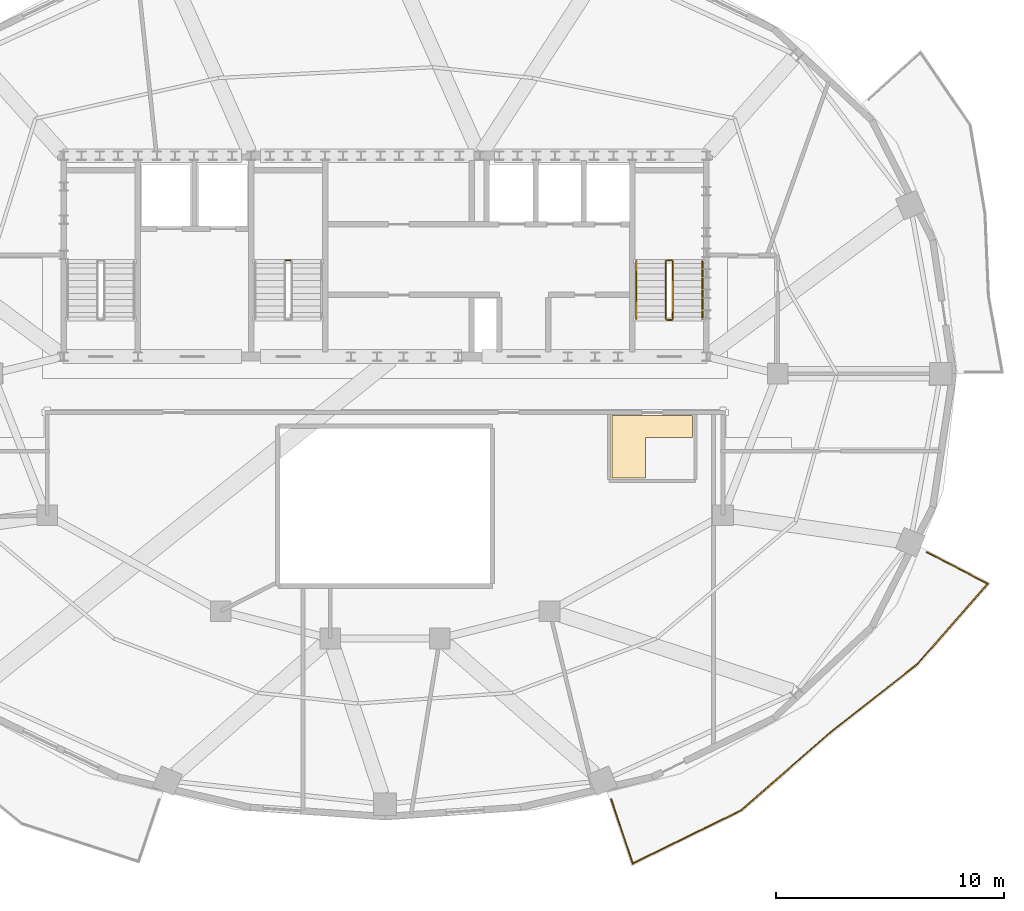
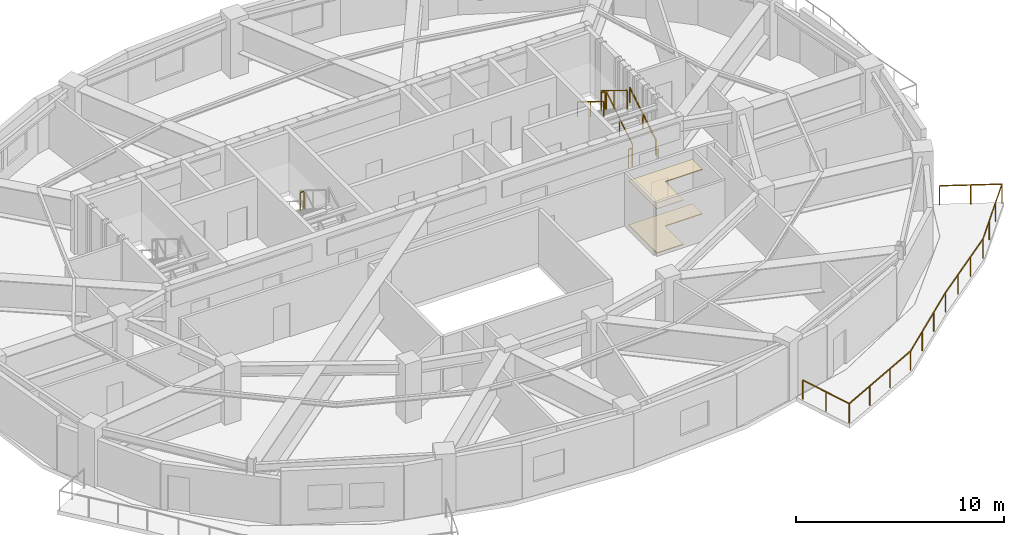
# One storey, part 9 of 10: 8 railings, 2 coverings.
"""IFC4 building model written with IfcOpenShell, lengths in metres."""

import ifcopenshell
import ifcopenshell.guid

model = None  # the IFC model being written
_history = None  # IfcOwnerHistory: only IFC2X3 demands one
_inside = {}  # id of a spatial element -> (the spatial element, [elements in it])
_under = {}  # id of a project, library or spatial element -> (it, [spatial elements below it])
_declared = {}  # id of a project -> (the project, [libraries it declares])
_typed = {}  # id of a type object -> (the type object, [elements of that type])
_made_of = {}  # id of a material, layer set ... -> (it, [elements and type objects made of it])


def new_model(schema):
    """Start an empty IFC model of exactly this schema.

    Asked for "IFC4X3", IfcOpenShell would pick the latest addendum, in which some entities
    have other attributes; the version numbers below select the first issue.
    IFC2X3 requires an IfcOwnerHistory on every rooted entity: one is made here for all.
    """
    global model, _history
    if schema == "IFC4X3":
        model = ifcopenshell.file(schema_version=(4, 3, 0, 0))
    else:
        model = ifcopenshell.file(schema=schema)
    _inside.clear()
    _under.clear()
    _declared.clear()
    _typed.clear()
    _made_of.clear()
    _history = None
    if model.schema == "IFC2X3":
        org = make("IfcOrganization", Name="unknown")
        user = make(
            "IfcPersonAndOrganization",
            ThePerson=make("IfcPerson", FamilyName="unknown"),
            TheOrganization=org,
        )
        app = make(
            "IfcApplication",
            ApplicationDeveloper=org,
            Version="unknown",
            ApplicationFullName="unknown",
            ApplicationIdentifier="unknown",
        )
        _history = make(
            "IfcOwnerHistory",
            OwningUser=user,
            OwningApplication=app,
            ChangeAction="ADDED",
            CreationDate=0,
        )
    return model


def make(cls, **values):
    """One entity of the class cls with the attributes given. An attribute that is None is left unset."""
    return model.create_entity(
        cls, **{name: value for name, value in values.items() if value is not None}
    )


def rooted(cls, **values):
    """An entity with a GlobalId (a new one), such as an element, a storey or a relation."""
    return make(cls, GlobalId=ifcopenshell.guid.new(), OwnerHistory=_history, **values)


def si_unit(unit_type, name, prefix=None):
    """IfcSIUnit, for example si_unit("LENGTHUNIT", "METRE", prefix="MILLI")."""
    return make("IfcSIUnit", UnitType=unit_type, Prefix=prefix, Name=name)


def assignment(units):
    """IfcUnitAssignment: the units of a project."""
    return None if units is None else make("IfcUnitAssignment", Units=units)


def point(xyz):
    """IfcCartesianPoint."""
    return None if xyz is None else make("IfcCartesianPoint", Coordinates=xyz)


def direction(xyz):
    """IfcDirection."""
    return None if xyz is None else make("IfcDirection", DirectionRatios=xyz)


def frame(location, z_axis=None, x_axis=None):
    """IfcAxis2Placement3D, a coordinate frame: its origin and axes. An axis left out is left unset."""
    return make(
        "IfcAxis2Placement3D",
        Location=point(location),
        Axis=direction(z_axis),
        RefDirection=direction(x_axis),
    )


def frame_2d(location, x_axis=None):
    """IfcAxis2Placement2D, a coordinate frame in the plane: its origin and x axis."""
    return make(
        "IfcAxis2Placement2D", Location=point(location), RefDirection=direction(x_axis)
    )


def origin():
    """The frame at (0, 0, 0) with its axes left unset."""
    return frame((0.0, 0.0, 0.0))


def origin_2d():
    """The frame at (0, 0) in the plane with its x axis left unset."""
    return frame_2d((0.0, 0.0))


def place(relative_to, where):
    """IfcLocalPlacement: puts the frame where relative to a parent placement (None: the world)."""
    return make(
        "IfcLocalPlacement", PlacementRelTo=relative_to, RelativePlacement=where
    )


def context(
    kind, dimensions, precision=None, world=None, true_north=None, identifier=None
):
    """IfcGeometricRepresentationContext, for example the 3D "Model" context."""
    return make(
        "IfcGeometricRepresentationContext",
        ContextIdentifier=identifier,
        ContextType=kind,
        CoordinateSpaceDimension=dimensions,
        Precision=precision,
        WorldCoordinateSystem=world,
        TrueNorth=true_north,
    )


def subcontext(parent, identifier, kind, view, scale=None):
    """IfcGeometricRepresentationSubContext, for example "Body" below "Model"."""
    return make(
        "IfcGeometricRepresentationSubContext",
        ContextIdentifier=identifier,
        ContextType=kind,
        ParentContext=parent,
        TargetScale=scale,
        TargetView=view,
    )


def project(units=None, contexts=None):
    """IfcProject with its units and contexts."""
    return rooted(
        "IfcProject",
        Name="project",
        RepresentationContexts=contexts,
        UnitsInContext=assignment(units),
    )


def spatial(cls, under=None, at=None, **own):
    """A site, building, storey or space (cls), placed at a placement, below another one or the project."""
    s = rooted(cls, ObjectPlacement=at, **own)
    if under is not None:
        _under.setdefault(under.id(), (under, []))[1].append(s)
    return s


def polyline(points):
    """IfcPolyline through the points."""
    return make("IfcPolyline", Points=[point(p) for p in points])


def profile(cls, at=None, kind="AREA", **sizes):
    """A parametric profile (cls). Its sizes go by their IFC names, for example OverallWidth=200.0."""
    return make(cls, ProfileType=kind, Position=at, **sizes)


def rectangle(**sizes):
    """IfcRectangleProfileDef."""
    return profile("IfcRectangleProfileDef", **sizes)


def outline(outer, holes=None, kind="AREA"):
    """IfcArbitraryClosedProfileDef: a profile drawn as a closed curve; with holes, ...WithVoids."""
    if holes is None:
        return make("IfcArbitraryClosedProfileDef", ProfileType=kind, OuterCurve=outer)
    return make(
        "IfcArbitraryProfileDefWithVoids",
        ProfileType=kind,
        OuterCurve=outer,
        InnerCurves=holes,
    )


def extrude(swept, where, along, depth):
    """IfcExtrudedAreaSolid: the profile swept, set in the frame where, extruded along a direction by depth."""
    return make(
        "IfcExtrudedAreaSolid",
        SweptArea=swept,
        Position=where,
        ExtrudedDirection=direction(along),
        Depth=depth,
    )


def shape(context_of_items, identifier, shape_type, items):
    """IfcShapeRepresentation: the items that make up one representation, for example the "Body"."""
    return make(
        "IfcShapeRepresentation",
        ContextOfItems=context_of_items,
        RepresentationIdentifier=identifier,
        RepresentationType=shape_type,
        Items=items,
    )


def material(Name=None, Category=None):
    """IfcMaterial."""
    return make("IfcMaterial", Name=Name, Category=Category)


def layer(
    of_material, thickness, ventilated=None, Name=None, Category=None, Priority=None
):
    """IfcMaterialLayer: one layer of a wall or slab, of a material (None: an air gap)."""
    return make(
        "IfcMaterialLayer",
        Material=of_material,
        LayerThickness=thickness,
        IsVentilated=ventilated,
        Name=Name,
        Category=Category,
        Priority=Priority,
    )


def layer_set(layers, Name=None):
    """IfcMaterialLayerSet."""
    return make("IfcMaterialLayerSet", MaterialLayers=layers, LayerSetName=Name)


def made_of(thing, what):
    """Note that an element or type object is made of a material, layer set ...; save() writes the relation."""
    if what is not None:
        _made_of.setdefault(what.id(), (what, []))[1].append(thing)
    return thing


def type_object(cls, material=None, **own):
    """A type object (cls), such as IfcWallType, which elements share."""
    return made_of(rooted(cls, **own), material)


def element(
    cls,
    number,
    at=None,
    inside=None,
    cuts=None,
    type_object=None,
    material=None,
    context=None,
    identifier="Body",
    shape_type=None,
    held_by="IfcProductDefinitionShape",
    body=None,
    shapes=None,
    **own,
):
    """One element of the class cls, such as IfcWall. Its Tag is "e" and its number.

    at: its placement. inside: the storey or other place that contains it. cuts: it is an
    opening in that element (IfcRelVoidsElement). A single representation is given by context,
    identifier, shape_type and body (its items); several are given by shapes. held_by: the class
    of the entity that holds the representations. save() writes the other relations.
    """
    e = rooted(cls, Tag="e%d" % number, ObjectPlacement=at, **own)
    if body is not None:
        shapes = [shape(context, identifier, shape_type, body)]
    if shapes is not None:
        e.Representation = make(held_by, Representations=shapes)
    if inside is not None:
        _inside.setdefault(inside.id(), (inside, []))[1].append(e)
    if cuts is not None:
        rooted(
            "IfcRelVoidsElement", RelatingBuildingElement=cuts, RelatedOpeningElement=e
        )
    if type_object is not None:
        _typed.setdefault(type_object.id(), (type_object, []))[1].append(e)
    return made_of(e, material)


def aggregate(whole, parts):
    """IfcRelAggregates: a whole, such as a stair, and the parts it consists of."""
    return rooted("IfcRelAggregates", RelatingObject=whole, RelatedObjects=parts)


def save(model, path):
    """Write the relations noted so far, then the file.

    IfcRelAggregates (storeys below a building ...), IfcRelContainedInSpatialStructure (elements
    in a storey), IfcRelDefinesByType, IfcRelAssociatesMaterial and IfcRelDeclares: one each for
    every whole, place, type object, material and project.
    """
    for whole, parts in _under.values():
        aggregate(whole, parts)
    for where, things in _inside.values():
        rooted(
            "IfcRelContainedInSpatialStructure",
            RelatedElements=things,
            RelatingStructure=where,
        )
    for kind, things in _typed.values():
        rooted("IfcRelDefinesByType", RelatedObjects=things, RelatingType=kind)
    for what, things in _made_of.values():
        rooted("IfcRelAssociatesMaterial", RelatedObjects=things, RelatingMaterial=what)
    for by, libraries in _declared.values():
        rooted("IfcRelDeclares", RelatingContext=by, RelatedDefinitions=libraries)
    model.write(path)


model = new_model("IFC4")

# Units and contexts
model_context = context("Model", 3, precision=1e-05, world=origin(), true_north=direction((0.0, 1.0)))
body_context = subcontext(model_context, "Body", "Model", "MODEL_VIEW")
ifc_project = project(units=[si_unit("LENGTHUNIT", "METRE"), si_unit("AREAUNIT", "SQUARE_METRE"), si_unit("VOLUMEUNIT", "CUBIC_METRE"), si_unit("PLANEANGLEUNIT", "RADIAN"), si_unit("MASSUNIT", "GRAM", prefix="KILO")], contexts=[model_context])

# Site, building, storey
site_placement = place(None, origin())
site = spatial("IfcSite", under=ifc_project, at=site_placement, CompositionType="ELEMENT")
building_placement = place(site_placement, origin())
building = spatial("IfcBuilding", under=site, at=building_placement, Name="Haldorwick Loom Tower", CompositionType="ELEMENT")
storey_placement = place(building_placement, frame((0.0, 0.0, 269.550048828125)))
storey = spatial("IfcBuildingStorey", under=building, at=storey_placement, Name="L73", CompositionType="ELEMENT", Elevation=269.550048828125)

# Coverings
ifc_material_1 = material(Name="Mineral Fibre Acoustic Ceiling Tile")
ifc_layer_1 = layer(ifc_material_1, 0.054931640625, Name="Mineral Fibre Acoustic Ceiling Tile")
ifc_layer_set_1 = layer_set([ifc_layer_1], Name="Mineral Fibre Acoustic Ceiling Tile")
covering_type_1 = type_object("IfcCoveringType", Name="ARC-COV-CEIL2", PredefinedType="CEILING", material=ifc_layer_set_1)
covering_1_placement = place(storey_placement, frame((0.0, 0.0, 2.594970703125)))
element("IfcCovering", 1, at=covering_1_placement, inside=storey, type_object=covering_type_1, Name="L73 Acoustic Suspended Ceiling 2", PredefinedType="CEILING", context=body_context, shape_type="SweptSolid", body=[
    extrude(outline(polyline([(45.929931640625, 24.159912109375), (45.929931640625, 21.429931640625), (47.39990234375, 21.429931640625), (47.39990234375, 23.199951171875), (49.469970703125, 23.199951171875), (49.469970703125, 24.159912109375), (45.929931640625, 24.159912109375)])), origin(), (0.0, 0.0, 1.0), 0.054931640625),
])
ifc_material_2 = material(Name="Polished Aggregate Terrazzo Finish")
ifc_layer_2 = layer(ifc_material_2, 0.044921875, Name="Polished Aggregate Terrazzo Finish")
ifc_layer_set_2 = layer_set([ifc_layer_2], Name="Polished Aggregate Terrazzo Finish")
covering_type_2 = type_object("IfcCoveringType", Name="ARC-COV-FLOOR2", PredefinedType="FLOORING", material=ifc_layer_set_2)
covering_2_placement = place(storey_placement, origin())
element("IfcCovering", 2, at=covering_2_placement, inside=storey, type_object=covering_type_2, Name="L73 Floor Finish 2", PredefinedType="FLOORING", context=body_context, shape_type="SweptSolid", body=[
    extrude(outline(polyline([(45.929931640625, 24.159912109375), (45.929931640625, 21.429931640625), (47.39990234375, 21.429931640625), (47.39990234375, 23.199951171875), (49.469970703125, 23.199951171875), (49.469970703125, 24.159912109375), (45.929931640625, 24.159912109375)])), origin(), (0.0, 0.0, 1.0), 0.044921875),
])

# Railings
ifc_material_3 = material(Name="Galvanized Steel CSA G40.21 350W", Category="steel")
railing_type_1 = type_object("IfcRailingType", Name="ARC-RLG-BAL115", PredefinedType="BALUSTRADE", material=ifc_material_3)
railing_1_placement = place(storey_placement, frame((59.727783203125, 18.17724609375, 0.0)))
element("IfcRailing", 3, at=railing_1_placement, inside=storey, type_object=railing_type_1, Name="L73 Outdoor Terrace Guardrail SLB-L73-BAL_SE-1", PredefinedType="BALUSTRADE", context=body_context, shape_type="SweptSolid", body=[
    extrude(rectangle(XDim=0.048095703125, YDim=0.048095703125, at=origin_2d()), frame((0.0, 0.0, 1.1259765625), z_axis=(0.888528692081, -0.458821058093, 0.0), x_axis=(0.458821058093, 0.888528692081, 0.0)), (0.0, 0.0, 1.0), 3.002197265625),
    extrude(rectangle(XDim=0.048095703125, YDim=0.048095703125, at=origin_2d()), frame((2.66748046875, -1.37744140625, 1.1259765625), z_axis=(-0.658947524651, -0.75218891228, 0.0), x_axis=(0.75218891228, -0.658947524651, 0.0)), (0.0, 0.0, 1.0), 4.681640625),
    extrude(rectangle(XDim=0.048095703125, YDim=0.048095703125, at=origin_2d()), frame((-0.41748046875, -4.89892578125, 1.1259765625), z_axis=(-0.786142130795, -0.618045750887, 0.0), x_axis=(0.618045750887, -0.786142130795, 0.0)), (0.0, 0.0, 1.0), 4.856689453125),
    extrude(rectangle(XDim=0.048095703125, YDim=0.048095703125, at=origin_2d()), frame((-4.235595703125, -7.900634765625, 1.1259765625), z_axis=(-0.763386285369, -0.645942241466, 0.0), x_axis=(0.645942241466, -0.763386285369, 0.0)), (0.0, 0.0, 1.0), 0.004150390625),
    extrude(rectangle(XDim=0.048095703125, YDim=0.048095703125, at=origin_2d()), frame((-4.23876953125, -7.9033203125, 1.1259765625), z_axis=(-0.753589494312, -0.657345323299, 0.0), x_axis=(0.657345323299, -0.753589494312, 0.0)), (0.0, 0.0, 1.0), 5.162109375),
    extrude(rectangle(XDim=0.048095703125, YDim=0.048095703125, at=origin_2d()), frame((-8.12890625, -11.296630859375, 1.1259765625), z_axis=(-0.897365820066, -0.441287417652, 0.0), x_axis=(0.441287417652, -0.897365820066, 0.0)), (0.0, 0.0, 1.0), 5.29833984375),
    extrude(rectangle(XDim=0.048095703125, YDim=0.048095703125, at=origin_2d()), frame((-12.883544921875, -13.634765625, 1.1259765625), z_axis=(-0.316571845047, 0.948568535702, 0.0), x_axis=(-0.948568535702, -0.316571845047, 0.0)), (0.0, 0.0, 1.0), 2.97998046875),
    extrude(rectangle(XDim=0.0419921875, YDim=0.0419921875, at=origin_2d()), origin(), (0.0, 0.0, 1.0), 1.101806640625),
    extrude(rectangle(XDim=0.0419921875, YDim=0.0419921875, at=origin_2d()), frame((1.333740234375, -0.688720703125, 0.0)), (0.0, 0.0, 1.0), 1.101806640625),
    extrude(rectangle(XDim=0.0419921875, YDim=0.0419921875, at=origin_2d()), frame((2.66748046875, -1.37744140625, 0.0)), (0.0, 0.0, 1.0), 1.101806640625),
    extrude(rectangle(XDim=0.0419921875, YDim=0.0419921875, at=origin_2d()), frame((1.63916015625, -2.55126953125, 0.0)), (0.0, 0.0, 1.0), 1.101806640625),
    extrude(rectangle(XDim=0.0419921875, YDim=0.0419921875, at=origin_2d()), frame((0.61083984375, -3.72509765625, 0.0)), (0.0, 0.0, 1.0), 1.101806640625),
    extrude(rectangle(XDim=0.0419921875, YDim=0.0419921875, at=origin_2d()), frame((-0.41748046875, -4.89892578125, 0.0)), (0.0, 0.0, 1.0), 1.101806640625),
    extrude(rectangle(XDim=0.0419921875, YDim=0.0419921875, at=origin_2d()), frame((-1.690185546875, -5.8994140625, 0.0)), (0.0, 0.0, 1.0), 1.101806640625),
    extrude(rectangle(XDim=0.0419921875, YDim=0.0419921875, at=origin_2d()), frame((-2.962890625, -6.900146484375, 0.0)), (0.0, 0.0, 1.0), 1.101806640625),
    extrude(rectangle(XDim=0.0419921875, YDim=0.0419921875, at=origin_2d()), frame((-4.235595703125, -7.900634765625, 0.0)), (0.0, 0.0, 1.0), 1.101806640625),
    extrude(rectangle(XDim=0.0419921875, YDim=0.0419921875, at=origin_2d()), frame((-5.535400390625, -9.034423828125, 0.0)), (0.0, 0.0, 1.0), 1.101806640625),
    extrude(rectangle(XDim=0.0419921875, YDim=0.0419921875, at=origin_2d()), frame((-6.832275390625, -10.16552734375, 0.0)), (0.0, 0.0, 1.0), 1.101806640625),
    extrude(rectangle(XDim=0.0419921875, YDim=0.0419921875, at=origin_2d()), frame((-8.12890625, -11.296630859375, 0.0)), (0.0, 0.0, 1.0), 1.101806640625),
    extrude(rectangle(XDim=0.0419921875, YDim=0.0419921875, at=origin_2d()), frame((-9.7138671875, -12.075927734375, 0.0)), (0.0, 0.0, 1.0), 1.101806640625),
    extrude(rectangle(XDim=0.0419921875, YDim=0.0419921875, at=origin_2d()), frame((-11.298583984375, -12.85546875, 0.0)), (0.0, 0.0, 1.0), 1.101806640625),
    extrude(rectangle(XDim=0.0419921875, YDim=0.0419921875, at=origin_2d()), frame((-12.883544921875, -13.634765625, 0.0)), (0.0, 0.0, 1.0), 1.101806640625),
    extrude(rectangle(XDim=0.0419921875, YDim=0.0419921875, at=origin_2d()), frame((-13.355224609375, -12.221435546875, 0.0)), (0.0, 0.0, 1.0), 1.101806640625),
    extrude(rectangle(XDim=0.0419921875, YDim=0.0419921875, at=origin_2d()), frame((-13.826904296875, -10.80810546875, 0.0)), (0.0, 0.0, 1.0), 1.101806640625),
])
ifc_material_4 = material(Name="Steel CSA G40.21 350W", Category="steel")
railing_type_2 = type_object("IfcRailingType", Name="ARC-RLG-GUARD112", PredefinedType="GUARDRAIL", material=ifc_material_4)
railing_2_placement = place(storey_placement, frame((48.60009765625, 28.39990234375, 0.17236328125)))
element("IfcRailing", 4, at=railing_2_placement, inside=storey, type_object=railing_type_2, Name="L73 ST-02 stair guard 1", PredefinedType="GUARDRAIL", context=body_context, shape_type="SweptSolid", body=[
    extrude(rectangle(XDim=0.048095703125, YDim=0.048095703125, at=origin_2d()), frame((0.0, 0.0, 1.076171875), z_axis=(0.0, 0.851400495292, 0.524516154772), x_axis=(-1.0, 0.0, 0.0)), (0.0, 0.0, 1.0), 2.9599609375),
    extrude(rectangle(XDim=0.0419921875, YDim=0.0419921875, at=origin_2d()), origin(), (0.0, 0.0, 1.0), 1.052001953125),
    extrude(rectangle(XDim=0.0419921875, YDim=0.0419921875, at=origin_2d()), frame((0.0, 1.260009765625, 0.7763671875)), (0.0, 0.0, 1.0), 1.052001953125),
    extrude(rectangle(XDim=0.0419921875, YDim=0.0419921875, at=origin_2d()), frame((0.0, 2.52001953125, 1.552490234375)), (0.0, 0.0, 1.0), 1.052001953125),
])
railing_3_placement = place(storey_placement, frame((48.550048828125, 30.969970703125, 1.724853515625)))
element("IfcRailing", 5, at=railing_3_placement, inside=storey, type_object=railing_type_2, Name="L73 ST-02 stair guard 2", PredefinedType="GUARDRAIL", context=body_context, shape_type="SweptSolid", body=[
    extrude(rectangle(XDim=0.048095703125, YDim=0.048095703125, at=origin_2d()), frame((0.0, 0.0, 1.076171875), z_axis=(-1.0, 0.0, 0.0), x_axis=(0.0, -1.0, 0.0)), (0.0, 0.0, 1.0), 0.199951171875),
    extrude(rectangle(XDim=0.0419921875, YDim=0.0419921875, at=origin_2d()), origin(), (0.0, 0.0, 1.0), 1.052001953125),
    extrude(rectangle(XDim=0.0419921875, YDim=0.0419921875, at=origin_2d()), frame((-0.199951171875, 0.0, 0.0)), (0.0, 0.0, 1.0), 1.052001953125),
])
railing_4_placement = place(storey_placement, frame((48.300048828125, 30.919921875, 1.8974609375)))
element("IfcRailing", 6, at=railing_4_placement, inside=storey, type_object=railing_type_2, Name="L73 ST-02 stair guard 3", PredefinedType="GUARDRAIL", context=body_context, shape_type="SweptSolid", body=[
    extrude(rectangle(XDim=0.048095703125, YDim=0.048095703125, at=origin_2d()), frame((0.0, 0.0, 1.076171875), z_axis=(0.0, -0.851400495292, 0.524516154772), x_axis=(1.0, 0.0, 0.0)), (0.0, 0.0, 1.0), 2.9599609375),
    extrude(rectangle(XDim=0.0419921875, YDim=0.0419921875, at=origin_2d()), origin(), (0.0, 0.0, 1.0), 1.052001953125),
    extrude(rectangle(XDim=0.0419921875, YDim=0.0419921875, at=origin_2d()), frame((0.0, -1.260009765625, 0.7763671875)), (0.0, 0.0, 1.0), 1.052001953125),
    extrude(rectangle(XDim=0.0419921875, YDim=0.0419921875, at=origin_2d()), frame((0.0, -2.52001953125, 1.552490234375)), (0.0, 0.0, 1.0), 1.052001953125),
])
railing_5_placement = place(storey_placement, frame((48.550048828125, 28.35009765625, 0.0)))
element("IfcRailing", 7, at=railing_5_placement, inside=storey, type_object=railing_type_2, Name="L73 ST-02 stair guard 4", PredefinedType="GUARDRAIL", context=body_context, shape_type="SweptSolid", body=[
    extrude(rectangle(XDim=0.048095703125, YDim=0.048095703125, at=origin_2d()), frame((0.0, 0.0, 1.076171875), z_axis=(-1.0, 0.0, 0.0), x_axis=(0.0, -1.0, 0.0)), (0.0, 0.0, 1.0), 0.199951171875),
    extrude(rectangle(XDim=0.0419921875, YDim=0.0419921875, at=origin_2d()), origin(), (0.0, 0.0, 1.0), 1.052001953125),
    extrude(rectangle(XDim=0.0419921875, YDim=0.0419921875, at=origin_2d()), frame((-0.199951171875, 0.0, 0.0)), (0.0, 0.0, 1.0), 1.052001953125),
])
railing_6_placement = place(storey_placement, frame((31.85009765625, 30.969970703125, 1.724853515625)))
element("IfcRailing", 8, at=railing_6_placement, inside=storey, type_object=railing_type_2, Name="L73 ST-03 stair guard 2", PredefinedType="GUARDRAIL", context=body_context, shape_type="SweptSolid", body=[
    extrude(rectangle(XDim=0.048095703125, YDim=0.048095703125, at=origin_2d()), frame((0.0, 0.0, 1.076171875), z_axis=(-1.0, 0.0, 0.0), x_axis=(0.0, -1.0, 0.0)), (0.0, 0.0, 1.0), 0.2001953125),
    extrude(rectangle(XDim=0.0419921875, YDim=0.0419921875, at=origin_2d()), origin(), (0.0, 0.0, 1.0), 1.052001953125),
    extrude(rectangle(XDim=0.0419921875, YDim=0.0419921875, at=origin_2d()), frame((-0.2001953125, 0.0, 0.0)), (0.0, 0.0, 1.0), 1.052001953125),
])
railing_type_3 = type_object("IfcRailingType", Name="ARC-RLG-HAND092", PredefinedType="HANDRAIL", material=ifc_material_4)
railing_7_placement = place(storey_placement, frame((49.89990234375, 28.39990234375, 0.17236328125)))
element("IfcRailing", 9, at=railing_7_placement, inside=storey, type_object=railing_type_3, Name="L73 ST-02 stair handrail 1", PredefinedType="HANDRAIL", context=body_context, shape_type="SweptSolid", body=[
    extrude(rectangle(XDim=0.048095703125, YDim=0.048095703125, at=origin_2d()), frame((0.0, 0.0, 0.8759765625), z_axis=(0.0, 0.851400495292, 0.524516154772), x_axis=(-1.0, 0.0, 0.0)), (0.0, 0.0, 1.0), 2.9599609375),
    extrude(rectangle(XDim=0.0419921875, YDim=0.0419921875, at=origin_2d()), origin(), (0.0, 0.0, 1.0), 0.851806640625),
    extrude(rectangle(XDim=0.0419921875, YDim=0.0419921875, at=origin_2d()), frame((0.0, 1.260009765625, 0.7763671875)), (0.0, 0.0, 1.0), 0.851806640625),
    extrude(rectangle(XDim=0.0419921875, YDim=0.0419921875, at=origin_2d()), frame((0.0, 2.52001953125, 1.552490234375)), (0.0, 0.0, 1.0), 0.851806640625),
])
railing_8_placement = place(storey_placement, frame((47.0, 30.919921875, 1.8974609375)))
element("IfcRailing", 10, at=railing_8_placement, inside=storey, type_object=railing_type_3, Name="L73 ST-02 stair handrail 2", PredefinedType="HANDRAIL", context=body_context, shape_type="SweptSolid", body=[
    extrude(rectangle(XDim=0.048095703125, YDim=0.048095703125, at=origin_2d()), frame((0.0, 0.0, 0.8759765625), z_axis=(0.0, -0.851400495292, 0.524516154772), x_axis=(1.0, 0.0, 0.0)), (0.0, 0.0, 1.0), 2.9599609375),
    extrude(rectangle(XDim=0.0419921875, YDim=0.0419921875, at=origin_2d()), origin(), (0.0, 0.0, 1.0), 0.851806640625),
    extrude(rectangle(XDim=0.0419921875, YDim=0.0419921875, at=origin_2d()), frame((0.0, -1.260009765625, 0.7763671875)), (0.0, 0.0, 1.0), 0.851806640625),
    extrude(rectangle(XDim=0.0419921875, YDim=0.0419921875, at=origin_2d()), frame((0.0, -2.52001953125, 1.552490234375)), (0.0, 0.0, 1.0), 0.851806640625),
])

save(model, "model.ifc")
